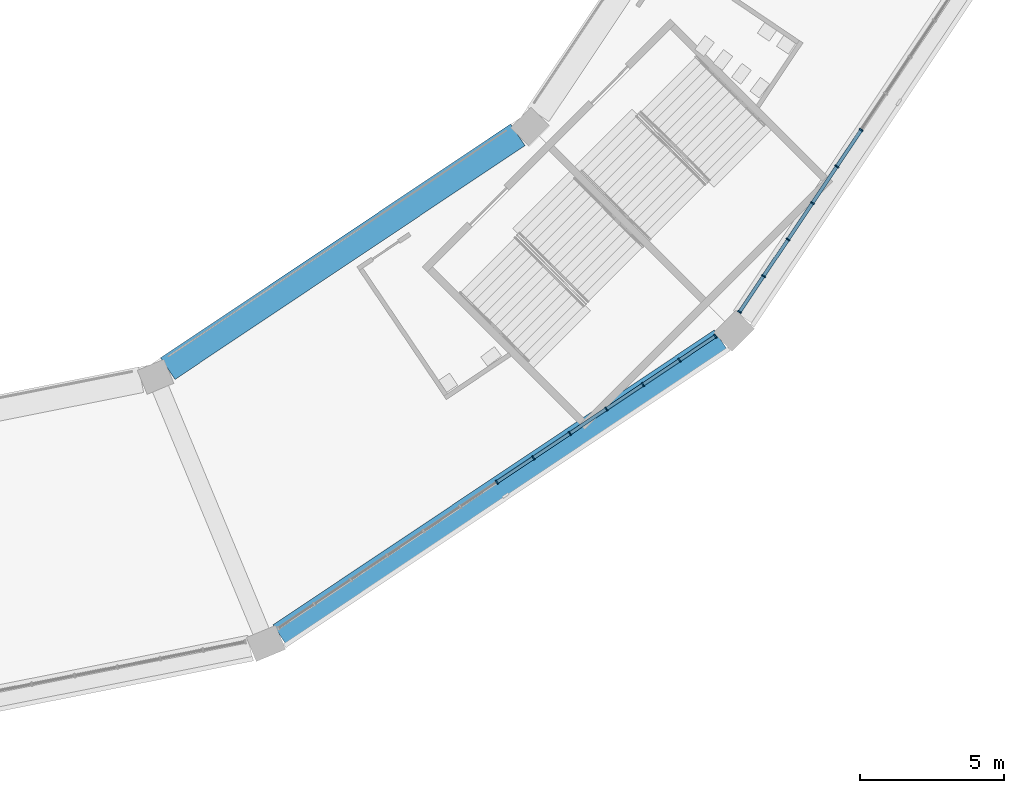
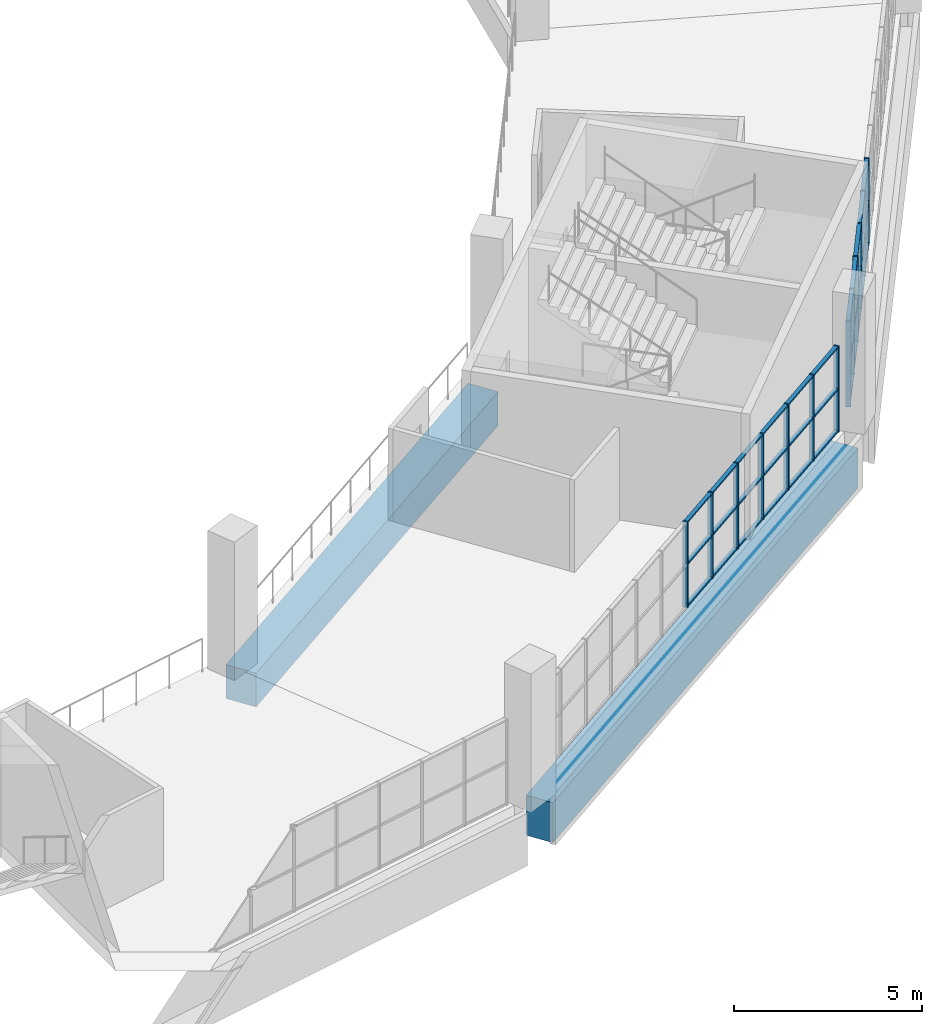
# One storey, part 17 of 177: 46 members, 2 beams, 2 elements without a shape of their own.
"""IFC4 building model written with IfcOpenShell, lengths in metres."""

from ifc_helpers import new_model, si_unit, direction, frame, origin, origin_2d, place, context, subcontext, project, spatial, rectangle, extrude, material, material_profile, profile_set, type_object, element, aggregate, save


model = new_model("IFC4")

# Units and contexts
model_context = context("Model", 3, precision=1e-05, world=origin(), true_north=direction((0.0, 1.0)))
body_context = subcontext(model_context, "Body", "Model", "MODEL_VIEW")
ifc_project = project(units=[si_unit("LENGTHUNIT", "METRE"), si_unit("AREAUNIT", "SQUARE_METRE"), si_unit("VOLUMEUNIT", "CUBIC_METRE"), si_unit("PLANEANGLEUNIT", "RADIAN"), si_unit("MASSUNIT", "GRAM", prefix="KILO")], contexts=[model_context])

# Site, building, storey
site_placement = place(None, origin())
site = spatial("IfcSite", under=ifc_project, at=site_placement, CompositionType="ELEMENT")
building_placement = place(site_placement, origin())
building = spatial("IfcBuilding", under=site, at=building_placement, Name="Ogive Plaza Stadium", CompositionType="ELEMENT")
storey_placement = place(building_placement, frame((0.0, 0.0, 18.0)))
storey = spatial("IfcBuildingStorey", under=building, at=storey_placement, Name="L04", CompositionType="ELEMENT", Elevation=18.0)

# Curtain wall, members
ifc_material_1 = material(Name="Bronze-anodised aluminium with laminated glass", Category="aluminium")
curtain_wall_type = type_object("IfcCurtainWallType", Name="Lancet curtain wall", PredefinedType="NOTDEFINED", material=ifc_material_1)
curtain_wall_1_placement = place(storey_placement, origin())
curtain_wall_1 = element("IfcCurtainWall", 1, at=curtain_wall_1_placement, inside=storey, type_object=curtain_wall_type, Name="CURTAIN WALL B09 L04", PredefinedType="NOTDEFINED")
ifc_material_2 = material(Name="Bronze-anodised aluminium", Category="aluminium")
ifc_material_profile_1 = material_profile(ifc_material_2, rectangle(XDim=0.14990234375, YDim=0.050048828125, at=origin_2d()), Name="AL 150x50")
ifc_profile_set_1 = profile_set([ifc_material_profile_1], Name="Bronze-anodised aluminium")
member_type_1 = type_object("IfcMemberType", Name="Curtain wall mullion 50x150", PredefinedType="MULLION", material=ifc_profile_set_1)
member_1_placement = place(storey_placement, frame((73.7626953125, -80.8994140625, 0.0), z_axis=(0.0, 0.0, 1.0), x_axis=(0.831469612303, -0.55557023302, 0.0)))
member_1 = element("IfcMember", 2, at=member_1_placement, type_object=member_type_1, Name="CW-B09-L04 mullion 8", PredefinedType="MULLION", context=body_context, shape_type="SweptSolid", body=[
    extrude(rectangle(XDim=0.14990234375, YDim=0.050048828125, at=origin_2d()), origin(), (0.0, 0.0, 1.0), 2.7900390625),
])
member_2_placement = place(storey_placement, frame((72.916748046875, -82.165283203125, 0.0), z_axis=(0.0, 0.0, 1.0), x_axis=(0.831469612303, -0.55557023302, 0.0)))
member_2 = element("IfcMember", 3, at=member_2_placement, type_object=member_type_1, Name="CW-B09-L04 mullion 9", PredefinedType="MULLION", context=body_context, shape_type="SweptSolid", body=[
    extrude(rectangle(XDim=0.14990234375, YDim=0.050048828125, at=origin_2d()), origin(), (0.0, 0.0, 1.0), 2.7900390625),
])
member_3_placement = place(storey_placement, frame((72.071044921875, -83.430908203125, 0.0), z_axis=(0.0, 0.0, 1.0), x_axis=(0.831469612303, -0.55557023302, 0.0)))
member_3 = element("IfcMember", 4, at=member_3_placement, type_object=member_type_1, Name="CW-B09-L04 mullion 10", PredefinedType="MULLION", context=body_context, shape_type="SweptSolid", body=[
    extrude(rectangle(XDim=0.14990234375, YDim=0.050048828125, at=origin_2d()), origin(), (0.0, 0.0, 1.0), 2.7900390625),
])
member_4_placement = place(storey_placement, frame((71.225341796875, -84.69677734375, 0.0), z_axis=(0.0, 0.0, 1.0), x_axis=(0.831469612303, -0.55557023302, 0.0)))
member_4 = element("IfcMember", 5, at=member_4_placement, type_object=member_type_1, Name="CW-B09-L04 mullion 11", PredefinedType="MULLION", context=body_context, shape_type="SweptSolid", body=[
    extrude(rectangle(XDim=0.14990234375, YDim=0.050048828125, at=origin_2d()), origin(), (0.0, 0.0, 1.0), 2.7900390625),
])
member_5_placement = place(storey_placement, frame((70.379638671875, -85.962646484375, 0.0), z_axis=(0.0, 0.0, 1.0), x_axis=(0.831469612303, -0.55557023302, 0.0)))
member_5 = element("IfcMember", 6, at=member_5_placement, type_object=member_type_1, Name="CW-B09-L04 mullion 12", PredefinedType="MULLION", context=body_context, shape_type="SweptSolid", body=[
    extrude(rectangle(XDim=0.14990234375, YDim=0.050048828125, at=origin_2d()), origin(), (0.0, 0.0, 1.0), 2.7900390625),
])
member_6_placement = place(storey_placement, frame((69.547607421875, -87.20751953125, 0.0), z_axis=(0.0, 0.0, 1.0), x_axis=(0.831469612303, -0.55557023302, 0.0)))
member_6 = element("IfcMember", 7, at=member_6_placement, type_object=member_type_1, Name="CW-B09-L04 mullion 13", PredefinedType="MULLION", context=body_context, shape_type="SweptSolid", body=[
    extrude(rectangle(XDim=0.14990234375, YDim=0.050048828125, at=origin_2d()), origin(), (0.0, 0.0, 1.0), 2.7900390625),
])

curtain_wall_2_placement = place(storey_placement, origin())
curtain_wall_2 = element("IfcCurtainWall", 8, at=curtain_wall_2_placement, inside=storey, type_object=curtain_wall_type, Name="CURTAIN WALL B10 L04", PredefinedType="NOTDEFINED")
member_7_placement = place(storey_placement, frame((68.70751953125, -88.047607421875, 0.0), z_axis=(0.0, 0.0, 1.0), x_axis=(0.55557023302, -0.831469612303, 0.0)))
member_7 = element("IfcMember", 9, at=member_7_placement, type_object=member_type_1, Name="CW-B10-L04 mullion 1", PredefinedType="MULLION", context=body_context, shape_type="SweptSolid", body=[
    extrude(rectangle(XDim=0.14990234375, YDim=0.050048828125, at=origin_2d()), origin(), (0.0, 0.0, 1.0), 2.7900390625),
])
member_8_placement = place(storey_placement, frame((67.462646484375, -88.879638671875, 0.0), z_axis=(0.0, 0.0, 1.0), x_axis=(0.55557023302, -0.831469612303, 0.0)))
member_8 = element("IfcMember", 10, at=member_8_placement, type_object=member_type_1, Name="CW-B10-L04 mullion 2", PredefinedType="MULLION", context=body_context, shape_type="SweptSolid", body=[
    extrude(rectangle(XDim=0.14990234375, YDim=0.050048828125, at=origin_2d()), origin(), (0.0, 0.0, 1.0), 2.7900390625),
])
member_9_placement = place(storey_placement, frame((66.19677734375, -89.725341796875, 0.0), z_axis=(0.0, 0.0, 1.0), x_axis=(0.55557023302, -0.831469612303, 0.0)))
member_9 = element("IfcMember", 11, at=member_9_placement, type_object=member_type_1, Name="CW-B10-L04 mullion 3", PredefinedType="MULLION", context=body_context, shape_type="SweptSolid", body=[
    extrude(rectangle(XDim=0.14990234375, YDim=0.050048828125, at=origin_2d()), origin(), (0.0, 0.0, 1.0), 2.7900390625),
])
member_10_placement = place(storey_placement, frame((64.930908203125, -90.571044921875, 0.0), z_axis=(0.0, 0.0, 1.0), x_axis=(0.55557023302, -0.831469612303, 0.0)))
member_10 = element("IfcMember", 12, at=member_10_placement, type_object=member_type_1, Name="CW-B10-L04 mullion 4", PredefinedType="MULLION", context=body_context, shape_type="SweptSolid", body=[
    extrude(rectangle(XDim=0.14990234375, YDim=0.050048828125, at=origin_2d()), origin(), (0.0, 0.0, 1.0), 2.7900390625),
])
member_11_placement = place(storey_placement, frame((63.665283203125, -91.416748046875, 0.0), z_axis=(0.0, 0.0, 1.0), x_axis=(0.55557023302, -0.831469612303, 0.0)))
member_11 = element("IfcMember", 13, at=member_11_placement, type_object=member_type_1, Name="CW-B10-L04 mullion 5", PredefinedType="MULLION", context=body_context, shape_type="SweptSolid", body=[
    extrude(rectangle(XDim=0.14990234375, YDim=0.050048828125, at=origin_2d()), origin(), (0.0, 0.0, 1.0), 2.7900390625),
])
member_12_placement = place(storey_placement, frame((62.3994140625, -92.2626953125, 0.0), z_axis=(0.0, 0.0, 1.0), x_axis=(0.55557023302, -0.831469612303, 0.0)))
member_12 = element("IfcMember", 14, at=member_12_placement, type_object=member_type_1, Name="CW-B10-L04 mullion 6", PredefinedType="MULLION", context=body_context, shape_type="SweptSolid", body=[
    extrude(rectangle(XDim=0.14990234375, YDim=0.050048828125, at=origin_2d()), origin(), (0.0, 0.0, 1.0), 2.7900390625),
])
member_13_placement = place(storey_placement, frame((61.133544921875, -93.1083984375, 0.0), z_axis=(0.0, 0.0, 1.0), x_axis=(0.55557023302, -0.831469612303, 0.0)))
member_13 = element("IfcMember", 15, at=member_13_placement, type_object=member_type_1, Name="CW-B10-L04 mullion 7", PredefinedType="MULLION", context=body_context, shape_type="SweptSolid", body=[
    extrude(rectangle(XDim=0.14990234375, YDim=0.050048828125, at=origin_2d()), origin(), (0.0, 0.0, 1.0), 2.7900390625),
])

# Member
ifc_material_3 = material(Name="Bronze-anodised aluminium", Category="aluminium")
ifc_material_profile_2 = material_profile(ifc_material_3, rectangle(XDim=0.1201171875, YDim=0.050048828125, at=origin_2d()), Name="AL 120x50")
ifc_profile_set_2 = profile_set([ifc_material_profile_2], Name="Bronze-anodised aluminium")
member_type_2 = type_object("IfcMemberType", Name="Curtain wall transom 50x120", PredefinedType="USERDEFINED", material=ifc_profile_set_2)
member_14_placement = place(storey_placement, frame((73.748779296875, -80.920166015625, 0.02490234375), z_axis=(-0.555579876157, -0.831463168883, 0.0), x_axis=(0.831463168883, -0.555579876157, 0.0)))
member_14 = element("IfcMember", 16, at=member_14_placement, type_object=member_type_2, Name="CW-B09-L04 transom 8.1", ObjectType="TRANSOM", PredefinedType="USERDEFINED", context=body_context, shape_type="SweptSolid", body=[
    extrude(rectangle(XDim=0.1201171875, YDim=0.050048828125, at=origin_2d()), origin(), (0.0, 0.0, 1.0), 1.47265625),
])

member_15_placement = place(storey_placement, frame((73.748779296875, -80.920166015625, 1.39501953125), z_axis=(-0.555579876157, -0.831463168883, 0.0), x_axis=(0.831463168883, -0.555579876157, 0.0)))
member_15 = element("IfcMember", 17, at=member_15_placement, type_object=member_type_2, Name="CW-B09-L04 transom 8.2", ObjectType="TRANSOM", PredefinedType="USERDEFINED", context=body_context, shape_type="SweptSolid", body=[
    extrude(rectangle(XDim=0.1201171875, YDim=0.050048828125, at=origin_2d()), origin(), (0.0, 0.0, 1.0), 1.47265625),
])

member_16_placement = place(storey_placement, frame((73.748779296875, -80.920166015625, 2.764892578125), z_axis=(-0.555579876157, -0.831463168883, 0.0), x_axis=(0.831463168883, -0.555579876157, 0.0)))
member_16 = element("IfcMember", 18, at=member_16_placement, type_object=member_type_2, Name="CW-B09-L04 transom 8.3", ObjectType="TRANSOM", PredefinedType="USERDEFINED", context=body_context, shape_type="SweptSolid", body=[
    extrude(rectangle(XDim=0.1201171875, YDim=0.050048828125, at=origin_2d()), origin(), (0.0, 0.0, 1.0), 1.47265625),
])

member_17_placement = place(storey_placement, frame((72.90283203125, -82.18603515625, 0.02490234375), z_axis=(-0.555541835587, -0.831488586159, 0.0), x_axis=(0.831488586159, -0.555541835587, 0.0)))
member_17 = element("IfcMember", 19, at=member_17_placement, type_object=member_type_2, Name="CW-B09-L04 transom 9.1", ObjectType="TRANSOM", PredefinedType="USERDEFINED", context=body_context, shape_type="SweptSolid", body=[
    extrude(rectangle(XDim=0.1201171875, YDim=0.050048828125, at=origin_2d()), origin(), (0.0, 0.0, 1.0), 1.47216796875),
])

member_18_placement = place(storey_placement, frame((72.90283203125, -82.18603515625, 1.39501953125), z_axis=(-0.555541835587, -0.831488586159, 0.0), x_axis=(0.831488586159, -0.555541835587, 0.0)))
member_18 = element("IfcMember", 20, at=member_18_placement, type_object=member_type_2, Name="CW-B09-L04 transom 9.2", ObjectType="TRANSOM", PredefinedType="USERDEFINED", context=body_context, shape_type="SweptSolid", body=[
    extrude(rectangle(XDim=0.1201171875, YDim=0.050048828125, at=origin_2d()), origin(), (0.0, 0.0, 1.0), 1.47216796875),
])

member_19_placement = place(storey_placement, frame((72.90283203125, -82.18603515625, 2.764892578125), z_axis=(-0.555541835587, -0.831488586159, 0.0), x_axis=(0.831488586159, -0.555541835587, 0.0)))
member_19 = element("IfcMember", 21, at=member_19_placement, type_object=member_type_2, Name="CW-B09-L04 transom 9.3", ObjectType="TRANSOM", PredefinedType="USERDEFINED", context=body_context, shape_type="SweptSolid", body=[
    extrude(rectangle(XDim=0.1201171875, YDim=0.050048828125, at=origin_2d()), origin(), (0.0, 0.0, 1.0), 1.47216796875),
])

member_20_placement = place(storey_placement, frame((72.05712890625, -83.45166015625, 0.02490234375), z_axis=(-0.555465240925, -0.83153975619, 0.0), x_axis=(0.83153975619, -0.555465240925, 0.0)))
member_20 = element("IfcMember", 22, at=member_20_placement, type_object=member_type_2, Name="CW-B09-L04 transom 10.1", ObjectType="TRANSOM", PredefinedType="USERDEFINED", context=body_context, shape_type="SweptSolid", body=[
    extrude(rectangle(XDim=0.1201171875, YDim=0.050048828125, at=origin_2d()), origin(), (0.0, 0.0, 1.0), 1.472412109375),
])

member_21_placement = place(storey_placement, frame((72.05712890625, -83.45166015625, 1.39501953125), z_axis=(-0.555465240925, -0.83153975619, 0.0), x_axis=(0.83153975619, -0.555465240925, 0.0)))
member_21 = element("IfcMember", 23, at=member_21_placement, type_object=member_type_2, Name="CW-B09-L04 transom 10.2", ObjectType="TRANSOM", PredefinedType="USERDEFINED", context=body_context, shape_type="SweptSolid", body=[
    extrude(rectangle(XDim=0.1201171875, YDim=0.050048828125, at=origin_2d()), origin(), (0.0, 0.0, 1.0), 1.472412109375),
])

member_22_placement = place(storey_placement, frame((72.05712890625, -83.45166015625, 2.764892578125), z_axis=(-0.555465240925, -0.83153975619, 0.0), x_axis=(0.83153975619, -0.555465240925, 0.0)))
member_22 = element("IfcMember", 24, at=member_22_placement, type_object=member_type_2, Name="CW-B09-L04 transom 10.3", ObjectType="TRANSOM", PredefinedType="USERDEFINED", context=body_context, shape_type="SweptSolid", body=[
    extrude(rectangle(XDim=0.1201171875, YDim=0.050048828125, at=origin_2d()), origin(), (0.0, 0.0, 1.0), 1.472412109375),
])

member_23_placement = place(storey_placement, frame((71.21142578125, -84.717529296875, 0.02490234375), z_axis=(-0.555656472512, -0.831411982446, 0.0), x_axis=(0.831411982446, -0.555656472512, 0.0)))
member_23 = element("IfcMember", 25, at=member_23_placement, type_object=member_type_2, Name="CW-B09-L04 transom 11.1", ObjectType="TRANSOM", PredefinedType="USERDEFINED", context=body_context, shape_type="SweptSolid", body=[
    extrude(rectangle(XDim=0.1201171875, YDim=0.050048828125, at=origin_2d()), origin(), (0.0, 0.0, 1.0), 1.472412109375),
])

member_24_placement = place(storey_placement, frame((71.21142578125, -84.717529296875, 1.39501953125), z_axis=(-0.555656472512, -0.831411982446, 0.0), x_axis=(0.831411982446, -0.555656472512, 0.0)))
member_24 = element("IfcMember", 26, at=member_24_placement, type_object=member_type_2, Name="CW-B09-L04 transom 11.2", ObjectType="TRANSOM", PredefinedType="USERDEFINED", context=body_context, shape_type="SweptSolid", body=[
    extrude(rectangle(XDim=0.1201171875, YDim=0.050048828125, at=origin_2d()), origin(), (0.0, 0.0, 1.0), 1.472412109375),
])

member_25_placement = place(storey_placement, frame((71.21142578125, -84.717529296875, 2.764892578125), z_axis=(-0.555656472512, -0.831411982446, 0.0), x_axis=(0.831411982446, -0.555656472512, 0.0)))
member_25 = element("IfcMember", 27, at=member_25_placement, type_object=member_type_2, Name="CW-B09-L04 transom 11.3", ObjectType="TRANSOM", PredefinedType="USERDEFINED", context=body_context, shape_type="SweptSolid", body=[
    extrude(rectangle(XDim=0.1201171875, YDim=0.050048828125, at=origin_2d()), origin(), (0.0, 0.0, 1.0), 1.472412109375),
])

member_26_placement = place(storey_placement, frame((70.36572265625, -85.9833984375, 0.02490234375), z_axis=(-0.555634077892, -0.831426948977, 0.0), x_axis=(0.831426948977, -0.555634077892, 0.0)))
member_26 = element("IfcMember", 28, at=member_26_placement, type_object=member_type_2, Name="CW-B09-L04 transom 12.1", ObjectType="TRANSOM", PredefinedType="USERDEFINED", context=body_context, shape_type="SweptSolid", body=[
    extrude(rectangle(XDim=0.1201171875, YDim=0.050048828125, at=origin_2d()), origin(), (0.0, 0.0, 1.0), 1.447265625),
])

member_27_placement = place(storey_placement, frame((70.36572265625, -85.9833984375, 1.39501953125), z_axis=(-0.555634077892, -0.831426948977, 0.0), x_axis=(0.831426948977, -0.555634077892, 0.0)))
member_27 = element("IfcMember", 29, at=member_27_placement, type_object=member_type_2, Name="CW-B09-L04 transom 12.2", ObjectType="TRANSOM", PredefinedType="USERDEFINED", context=body_context, shape_type="SweptSolid", body=[
    extrude(rectangle(XDim=0.1201171875, YDim=0.050048828125, at=origin_2d()), origin(), (0.0, 0.0, 1.0), 1.447265625),
])

member_28_placement = place(storey_placement, frame((70.36572265625, -85.9833984375, 2.764892578125), z_axis=(-0.555634077892, -0.831426948977, 0.0), x_axis=(0.831426948977, -0.555634077892, 0.0)))
member_28 = element("IfcMember", 30, at=member_28_placement, type_object=member_type_2, Name="CW-B09-L04 transom 12.3", ObjectType="TRANSOM", PredefinedType="USERDEFINED", context=body_context, shape_type="SweptSolid", body=[
    extrude(rectangle(XDim=0.1201171875, YDim=0.050048828125, at=origin_2d()), origin(), (0.0, 0.0, 1.0), 1.447265625),
])

aggregate(curtain_wall_1, [member_1, member_2, member_3, member_4, member_5, member_6, member_14, member_15, member_16, member_17, member_18, member_19, member_20, member_21, member_22, member_23, member_24, member_25, member_26, member_27, member_28])

member_29_placement = place(storey_placement, frame((68.686767578125, -88.0615234375, 0.02490234375), z_axis=(-0.831426948977, -0.555634077892, 0.0), x_axis=(0.555634077892, -0.831426948977, 0.0)))
member_29 = element("IfcMember", 31, at=member_29_placement, type_object=member_type_2, Name="CW-B10-L04 transom 1.1", ObjectType="TRANSOM", PredefinedType="USERDEFINED", context=body_context, shape_type="SweptSolid", body=[
    extrude(rectangle(XDim=0.1201171875, YDim=0.050048828125, at=origin_2d()), origin(), (0.0, 0.0, 1.0), 1.447265625),
])

member_30_placement = place(storey_placement, frame((68.686767578125, -88.0615234375, 1.39501953125), z_axis=(-0.831426948977, -0.555634077892, 0.0), x_axis=(0.555634077892, -0.831426948977, 0.0)))
member_30 = element("IfcMember", 32, at=member_30_placement, type_object=member_type_2, Name="CW-B10-L04 transom 1.2", ObjectType="TRANSOM", PredefinedType="USERDEFINED", context=body_context, shape_type="SweptSolid", body=[
    extrude(rectangle(XDim=0.1201171875, YDim=0.050048828125, at=origin_2d()), origin(), (0.0, 0.0, 1.0), 1.447265625),
])

member_31_placement = place(storey_placement, frame((68.686767578125, -88.0615234375, 2.764892578125), z_axis=(-0.831426948977, -0.555634077892, 0.0), x_axis=(0.555634077892, -0.831426948977, 0.0)))
member_31 = element("IfcMember", 33, at=member_31_placement, type_object=member_type_2, Name="CW-B10-L04 transom 1.3", ObjectType="TRANSOM", PredefinedType="USERDEFINED", context=body_context, shape_type="SweptSolid", body=[
    extrude(rectangle(XDim=0.1201171875, YDim=0.050048828125, at=origin_2d()), origin(), (0.0, 0.0, 1.0), 1.447265625),
])

member_32_placement = place(storey_placement, frame((67.441650390625, -88.893310546875, 0.02490234375), z_axis=(-0.831411982446, -0.555656472512, 0.0), x_axis=(0.555656472512, -0.831411982446, 0.0)))
member_32 = element("IfcMember", 34, at=member_32_placement, type_object=member_type_2, Name="CW-B10-L04 transom 2.1", ObjectType="TRANSOM", PredefinedType="USERDEFINED", context=body_context, shape_type="SweptSolid", body=[
    extrude(rectangle(XDim=0.1201171875, YDim=0.050048828125, at=origin_2d()), origin(), (0.0, 0.0, 1.0), 1.472412109375),
])

member_33_placement = place(storey_placement, frame((67.441650390625, -88.893310546875, 1.39501953125), z_axis=(-0.831411982446, -0.555656472512, 0.0), x_axis=(0.555656472512, -0.831411982446, 0.0)))
member_33 = element("IfcMember", 35, at=member_33_placement, type_object=member_type_2, Name="CW-B10-L04 transom 2.2", ObjectType="TRANSOM", PredefinedType="USERDEFINED", context=body_context, shape_type="SweptSolid", body=[
    extrude(rectangle(XDim=0.1201171875, YDim=0.050048828125, at=origin_2d()), origin(), (0.0, 0.0, 1.0), 1.472412109375),
])

member_34_placement = place(storey_placement, frame((67.441650390625, -88.893310546875, 2.764892578125), z_axis=(-0.831411982446, -0.555656472512, 0.0), x_axis=(0.555656472512, -0.831411982446, 0.0)))
member_34 = element("IfcMember", 36, at=member_34_placement, type_object=member_type_2, Name="CW-B10-L04 transom 2.3", ObjectType="TRANSOM", PredefinedType="USERDEFINED", context=body_context, shape_type="SweptSolid", body=[
    extrude(rectangle(XDim=0.1201171875, YDim=0.050048828125, at=origin_2d()), origin(), (0.0, 0.0, 1.0), 1.472412109375),
])

member_35_placement = place(storey_placement, frame((66.176025390625, -89.7392578125, 0.02490234375), z_axis=(-0.83153975619, -0.555465240925, 0.0), x_axis=(0.555465240925, -0.83153975619, 0.0)))
member_35 = element("IfcMember", 37, at=member_35_placement, type_object=member_type_2, Name="CW-B10-L04 transom 3.1", ObjectType="TRANSOM", PredefinedType="USERDEFINED", context=body_context, shape_type="SweptSolid", body=[
    extrude(rectangle(XDim=0.1201171875, YDim=0.050048828125, at=origin_2d()), origin(), (0.0, 0.0, 1.0), 1.472412109375),
])

member_36_placement = place(storey_placement, frame((66.176025390625, -89.7392578125, 1.39501953125), z_axis=(-0.83153975619, -0.555465240925, 0.0), x_axis=(0.555465240925, -0.83153975619, 0.0)))
member_36 = element("IfcMember", 38, at=member_36_placement, type_object=member_type_2, Name="CW-B10-L04 transom 3.2", ObjectType="TRANSOM", PredefinedType="USERDEFINED", context=body_context, shape_type="SweptSolid", body=[
    extrude(rectangle(XDim=0.1201171875, YDim=0.050048828125, at=origin_2d()), origin(), (0.0, 0.0, 1.0), 1.472412109375),
])

member_37_placement = place(storey_placement, frame((66.176025390625, -89.7392578125, 2.764892578125), z_axis=(-0.83153975619, -0.555465240925, 0.0), x_axis=(0.555465240925, -0.83153975619, 0.0)))
member_37 = element("IfcMember", 39, at=member_37_placement, type_object=member_type_2, Name="CW-B10-L04 transom 3.3", ObjectType="TRANSOM", PredefinedType="USERDEFINED", context=body_context, shape_type="SweptSolid", body=[
    extrude(rectangle(XDim=0.1201171875, YDim=0.050048828125, at=origin_2d()), origin(), (0.0, 0.0, 1.0), 1.472412109375),
])

member_38_placement = place(storey_placement, frame((64.91015625, -90.5849609375, 0.02490234375), z_axis=(-0.831488586159, -0.555541835587, 0.0), x_axis=(0.555541835587, -0.831488586159, 0.0)))
member_38 = element("IfcMember", 40, at=member_38_placement, type_object=member_type_2, Name="CW-B10-L04 transom 4.1", ObjectType="TRANSOM", PredefinedType="USERDEFINED", context=body_context, shape_type="SweptSolid", body=[
    extrude(rectangle(XDim=0.1201171875, YDim=0.050048828125, at=origin_2d()), origin(), (0.0, 0.0, 1.0), 1.47216796875),
])

member_39_placement = place(storey_placement, frame((64.91015625, -90.5849609375, 1.39501953125), z_axis=(-0.831488586159, -0.555541835587, 0.0), x_axis=(0.555541835587, -0.831488586159, 0.0)))
member_39 = element("IfcMember", 41, at=member_39_placement, type_object=member_type_2, Name="CW-B10-L04 transom 4.2", ObjectType="TRANSOM", PredefinedType="USERDEFINED", context=body_context, shape_type="SweptSolid", body=[
    extrude(rectangle(XDim=0.1201171875, YDim=0.050048828125, at=origin_2d()), origin(), (0.0, 0.0, 1.0), 1.47216796875),
])

member_40_placement = place(storey_placement, frame((64.91015625, -90.5849609375, 2.764892578125), z_axis=(-0.831488586159, -0.555541835587, 0.0), x_axis=(0.555541835587, -0.831488586159, 0.0)))
member_40 = element("IfcMember", 42, at=member_40_placement, type_object=member_type_2, Name="CW-B10-L04 transom 4.3", ObjectType="TRANSOM", PredefinedType="USERDEFINED", context=body_context, shape_type="SweptSolid", body=[
    extrude(rectangle(XDim=0.1201171875, YDim=0.050048828125, at=origin_2d()), origin(), (0.0, 0.0, 1.0), 1.47216796875),
])

member_41_placement = place(storey_placement, frame((63.64453125, -91.4306640625, 0.02490234375), z_axis=(-0.831463168883, -0.555579876157, 0.0), x_axis=(0.555579876157, -0.831463168883, 0.0)))
member_41 = element("IfcMember", 43, at=member_41_placement, type_object=member_type_2, Name="CW-B10-L04 transom 5.1", ObjectType="TRANSOM", PredefinedType="USERDEFINED", context=body_context, shape_type="SweptSolid", body=[
    extrude(rectangle(XDim=0.1201171875, YDim=0.050048828125, at=origin_2d()), origin(), (0.0, 0.0, 1.0), 1.47265625),
])

member_42_placement = place(storey_placement, frame((63.64453125, -91.4306640625, 1.39501953125), z_axis=(-0.831463168883, -0.555579876157, 0.0), x_axis=(0.555579876157, -0.831463168883, 0.0)))
member_42 = element("IfcMember", 44, at=member_42_placement, type_object=member_type_2, Name="CW-B10-L04 transom 5.2", ObjectType="TRANSOM", PredefinedType="USERDEFINED", context=body_context, shape_type="SweptSolid", body=[
    extrude(rectangle(XDim=0.1201171875, YDim=0.050048828125, at=origin_2d()), origin(), (0.0, 0.0, 1.0), 1.47265625),
])

member_43_placement = place(storey_placement, frame((63.64453125, -91.4306640625, 2.764892578125), z_axis=(-0.831463168883, -0.555579876157, 0.0), x_axis=(0.555579876157, -0.831463168883, 0.0)))
member_43 = element("IfcMember", 45, at=member_43_placement, type_object=member_type_2, Name="CW-B10-L04 transom 5.3", ObjectType="TRANSOM", PredefinedType="USERDEFINED", context=body_context, shape_type="SweptSolid", body=[
    extrude(rectangle(XDim=0.1201171875, YDim=0.050048828125, at=origin_2d()), origin(), (0.0, 0.0, 1.0), 1.47265625),
])

member_44_placement = place(storey_placement, frame((62.378662109375, -92.2763671875, 0.02490234375), z_axis=(-0.831411982446, -0.555656472512, 0.0), x_axis=(0.555656472512, -0.831411982446, 0.0)))
member_44 = element("IfcMember", 46, at=member_44_placement, type_object=member_type_2, Name="CW-B10-L04 transom 6.1", ObjectType="TRANSOM", PredefinedType="USERDEFINED", context=body_context, shape_type="SweptSolid", body=[
    extrude(rectangle(XDim=0.1201171875, YDim=0.050048828125, at=origin_2d()), origin(), (0.0, 0.0, 1.0), 1.472412109375),
])

member_45_placement = place(storey_placement, frame((62.378662109375, -92.2763671875, 1.39501953125), z_axis=(-0.831411982446, -0.555656472512, 0.0), x_axis=(0.555656472512, -0.831411982446, 0.0)))
member_45 = element("IfcMember", 47, at=member_45_placement, type_object=member_type_2, Name="CW-B10-L04 transom 6.2", ObjectType="TRANSOM", PredefinedType="USERDEFINED", context=body_context, shape_type="SweptSolid", body=[
    extrude(rectangle(XDim=0.1201171875, YDim=0.050048828125, at=origin_2d()), origin(), (0.0, 0.0, 1.0), 1.472412109375),
])

member_46_placement = place(storey_placement, frame((62.378662109375, -92.2763671875, 2.764892578125), z_axis=(-0.831411982446, -0.555656472512, 0.0), x_axis=(0.555656472512, -0.831411982446, 0.0)))
member_46 = element("IfcMember", 48, at=member_46_placement, type_object=member_type_2, Name="CW-B10-L04 transom 6.3", ObjectType="TRANSOM", PredefinedType="USERDEFINED", context=body_context, shape_type="SweptSolid", body=[
    extrude(rectangle(XDim=0.1201171875, YDim=0.050048828125, at=origin_2d()), origin(), (0.0, 0.0, 1.0), 1.472412109375),
])

aggregate(curtain_wall_2, [member_7, member_8, member_9, member_10, member_11, member_12, member_13, member_29, member_30, member_31, member_32, member_33, member_34, member_35, member_36, member_37, member_38, member_39, member_40, member_41, member_42, member_43, member_44, member_45, member_46])

# Beams
ifc_material_4 = material(Name="Concrete C40/50", Category="concrete")
ifc_material_profile_3 = material_profile(ifc_material_4, rectangle(XDim=0.89990234375, YDim=1.10009765625, at=origin_2d()), Name="RC 900x1100")
ifc_profile_set_3 = profile_set([ifc_material_profile_3], Name="Concrete C40/50")
beam_type_1 = type_object("IfcBeamType", Name="RC ring beam 900x1100", PredefinedType="BEAM", material=ifc_profile_set_3)
beam_1_placement = place(storey_placement, frame((61.8603515625, -81.0673828125, -0.9599609375), z_axis=(-0.831467933961, -0.555572744827, 0.0), x_axis=(0.555572744827, -0.831467933961, 0.0)))
element("IfcBeam", 49, at=beam_1_placement, inside=storey, type_object=beam_type_1, Name="Ring beam F4 L04 B10", PredefinedType="BEAM", context=body_context, shape_type="SweptSolid", body=[
    extrude(rectangle(XDim=0.89990234375, YDim=1.10009765625, at=origin_2d()), origin(), (0.0, 0.0, 1.0), 14.587646484375),
])
ifc_material_5 = material(Name="Concrete C40/50", Category="concrete")
ifc_material_profile_4 = material_profile(ifc_material_5, rectangle(XDim=0.800048828125, YDim=1.300048828125, at=origin_2d()), Name="RC 800x1300")
ifc_profile_set_4 = profile_set([ifc_material_profile_4], Name="Concrete C40/50")
beam_type_2 = type_object("IfcBeamType", Name="RC spandrel beam 800x1300", PredefinedType="SPANDREL", material=ifc_profile_set_4)
beam_2_placement = place(storey_placement, frame((68.88916015625, -88.1669921875, -1.06005859375), z_axis=(-0.831477897484, -0.555557833169, 0.0), x_axis=(0.555557833169, -0.831477897484, 0.0)))
element("IfcBeam", 50, at=beam_2_placement, inside=storey, type_object=beam_type_2, Name="Ring beam F5 L04 B10", PredefinedType="SPANDREL", context=body_context, shape_type="SweptSolid", body=[
    extrude(rectangle(XDim=0.800048828125, YDim=1.300048828125, at=origin_2d()), origin(), (0.0, 0.0, 1.0), 18.387451171875),
])

save(model, "model.ifc")
